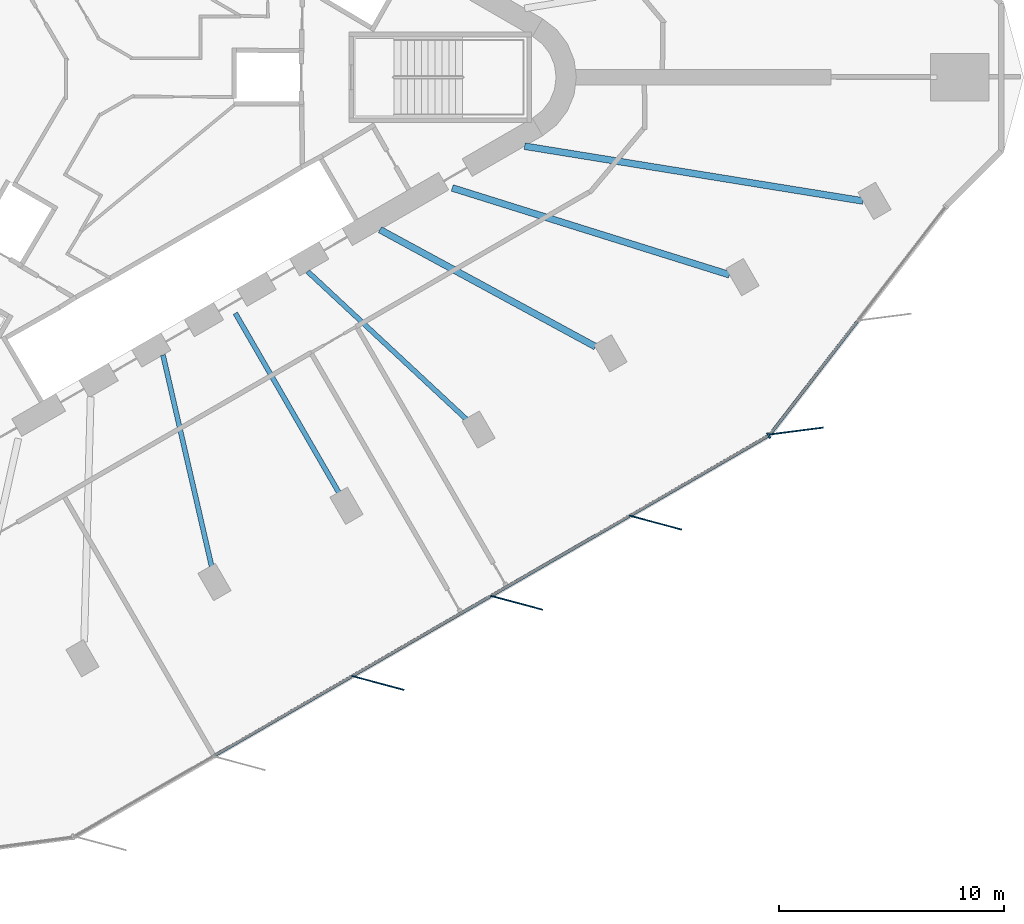
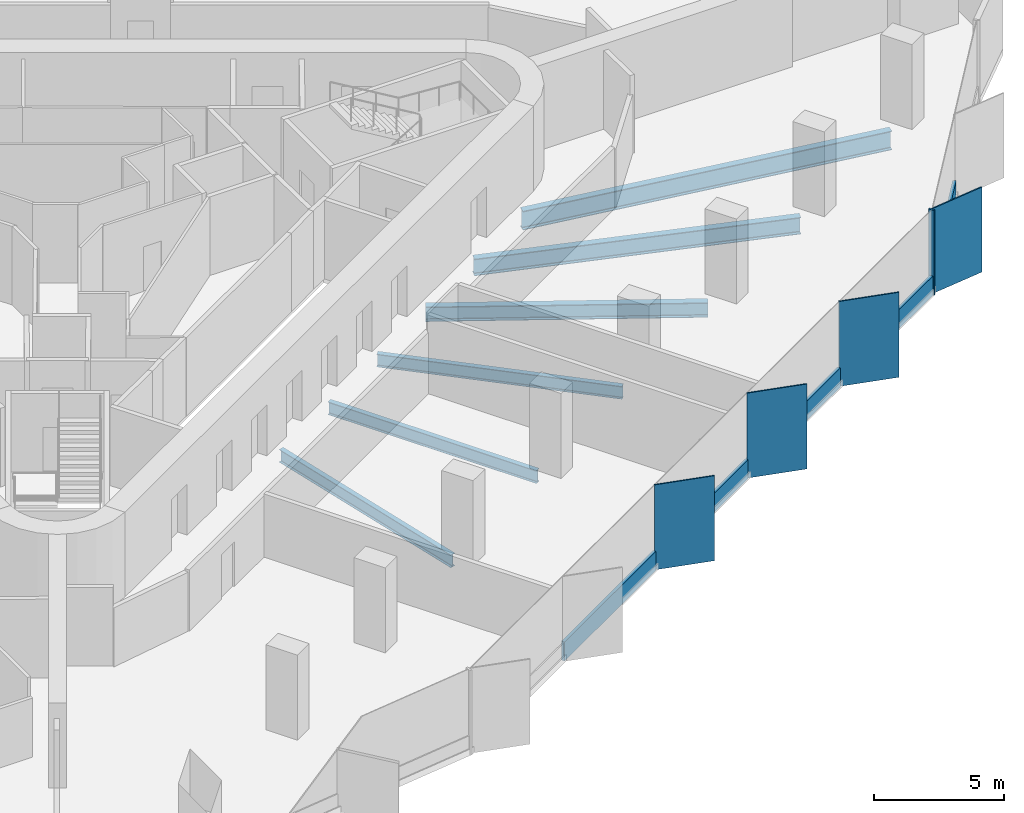
# One storey, part 3 of 14: 10 members, 6 beams, 2 elements without a shape of their own.
"""IFC4 building model written with IfcOpenShell, lengths in metres."""

from ifc_helpers import new_model, si_unit, direction, frame, origin, origin_2d, place, context, subcontext, project, spatial, rectangle, i_section, extrude, material, material_profile, profile_set, type_object, element, aggregate, save


model = new_model("IFC4")

# Units and contexts
model_context = context("Model", 3, precision=1e-05, world=origin(), true_north=direction((0.0, 1.0)))
body_context = subcontext(model_context, "Body", "Model", "MODEL_VIEW")
ifc_project = project(units=[si_unit("LENGTHUNIT", "METRE"), si_unit("AREAUNIT", "SQUARE_METRE"), si_unit("VOLUMEUNIT", "CUBIC_METRE"), si_unit("PLANEANGLEUNIT", "RADIAN"), si_unit("MASSUNIT", "GRAM", prefix="KILO")], contexts=[model_context])

# Site, building, storey
site_placement = place(None, origin())
site = spatial("IfcSite", under=ifc_project, at=site_placement, CompositionType="ELEMENT")
building_placement = place(site_placement, origin())
building = spatial("IfcBuilding", under=site, at=building_placement, Name="Tanit Gate Tower", CompositionType="ELEMENT")
storey_placement = place(building_placement, frame((0.0, 0.0, 229.199951171875)))
storey = spatial("IfcBuildingStorey", under=building, at=storey_placement, Name="L51", CompositionType="ELEMENT", Elevation=229.199951171875)

# Curtain wall, members
ifc_material_1 = material(Name="Aluminium bronze anodised and glass", Category="aluminium")
curtain_wall_type = type_object("IfcCurtainWallType", Name="Curtain wall typical mid", PredefinedType="NOTDEFINED", material=ifc_material_1)
curtain_wall_1_placement = place(storey_placement, origin())
curtain_wall_1 = element("IfcCurtainWall", 1, at=curtain_wall_1_placement, inside=storey, type_object=curtain_wall_type, Name="Curtain wall L51 SE2", PredefinedType="NOTDEFINED")
ifc_material_2 = material(Name="Aluminium bronze anodised", Category="aluminium")
ifc_material_profile_1 = material_profile(ifc_material_2, rectangle(XDim=2.39990234375, YDim=0.055908203125, at=origin_2d()), Name="56x2400 bronze fin mullion")
ifc_profile_set_1 = profile_set([ifc_material_profile_1], Name="Aluminium bronze anodised")
member_type_1 = type_object("IfcMemberType", Name="FIN MULLION 56x2400 bronze", PredefinedType="MULLION", material=ifc_profile_set_1)
member_1_placement = place(storey_placement, frame((12.383056640625, -26.9013671875, -0.300048828125), z_axis=(0.0, 0.0, 1.0), x_axis=(-0.965943770162, 0.25875206837, 0.0)))
member_1 = element("IfcMember", 2, at=member_1_placement, type_object=member_type_1, Name="Fin mullion L51 SE2.3", PredefinedType="MULLION", context=body_context, shape_type="SweptSolid", body=[
    extrude(rectangle(XDim=2.39990234375, YDim=0.055908203125, at=origin_2d()), origin(), (0.0, 0.0, 1.0), 4.0),
])
member_2_placement = place(storey_placement, frame((18.54931640625, -23.3408203125, -0.300048828125), z_axis=(0.0, 0.0, 1.0), x_axis=(-0.965943770162, 0.25875206837, 0.0)))
member_2 = element("IfcMember", 3, at=member_2_placement, type_object=member_type_1, Name="Fin mullion L51 SE2.4", PredefinedType="MULLION", context=body_context, shape_type="SweptSolid", body=[
    extrude(rectangle(XDim=2.39990234375, YDim=0.055908203125, at=origin_2d()), origin(), (0.0, 0.0, 1.0), 4.0),
])
member_3_placement = place(storey_placement, frame((24.715576171875, -19.780029296875, -0.300048828125), z_axis=(0.0, 0.0, 1.0), x_axis=(-0.965943770162, 0.25875206837, 0.0)))
member_3 = element("IfcMember", 4, at=member_3_placement, type_object=member_type_1, Name="Fin mullion L51 SE2.5", PredefinedType="MULLION", context=body_context, shape_type="SweptSolid", body=[
    extrude(rectangle(XDim=2.39990234375, YDim=0.055908203125, at=origin_2d()), origin(), (0.0, 0.0, 1.0), 4.0),
])

# Curtain wall, member
curtain_wall_2_placement = place(storey_placement, origin())
curtain_wall_2 = element("IfcCurtainWall", 5, at=curtain_wall_2_placement, inside=storey, type_object=curtain_wall_type, Name="Curtain wall L51 SE3", PredefinedType="NOTDEFINED")
member_4_placement = place(storey_placement, frame((30.971435546875, -15.712158203125, -0.300048828125), z_axis=(0.0, 0.0, 1.0), x_axis=(-0.991802209768, -0.127782536751, 0.0)))
member_4 = element("IfcMember", 6, at=member_4_placement, type_object=member_type_1, Name="Fin mullion L51 SE3.1", PredefinedType="MULLION", context=body_context, shape_type="SweptSolid", body=[
    extrude(rectangle(XDim=2.39990234375, YDim=0.055908203125, at=origin_2d()), origin(), (0.0, 0.0, 1.0), 4.0),
])

# Member
ifc_material_3 = material(Name="Aluminium bronze anodised", Category="aluminium")
ifc_material_profile_2 = material_profile(ifc_material_3, rectangle(XDim=0.260009765625, YDim=0.080078125, at=origin_2d()), Name="80x260 bronze mullion")
ifc_profile_set_2 = profile_set([ifc_material_profile_2], Name="Aluminium bronze anodised")
member_type_2 = type_object("IfcMemberType", Name="Mullion 80x260 typical mid", PredefinedType="MULLION", material=ifc_profile_set_2)
member_5_placement = place(storey_placement, frame((29.7431640625, -15.91455078125, -0.300048828125), z_axis=(0.0, 0.0, 1.0), x_axis=(-0.500060047936, 0.865990732317, 0.0)))
member_5 = element("IfcMember", 7, at=member_5_placement, type_object=member_type_2, Name="Mullion L51 SE2.6", PredefinedType="MULLION", context=body_context, shape_type="SweptSolid", body=[
    extrude(rectangle(XDim=0.260009765625, YDim=0.080078125, at=origin_2d()), origin(), (0.0, 0.0, 1.0), 4.0),
])

# Beams
ifc_material_4 = material(Name="Steel S355", Category="steel")
ifc_material_profile_3 = material_profile(ifc_material_4, i_section(OverallWidth=0.300048828125, OverallDepth=0.68994140625, WebThickness=0.014404296875, FlangeThickness=0.027099609375, FilletRadius=0.027099609375, at=origin_2d()), Name="HEA 700")
ifc_profile_set_3 = profile_set([ifc_material_profile_3], Name="Steel S355")
beam_type_1 = type_object("IfcBeamType", Name="RADIAL GIRDER HEA 700 S355", PredefinedType="BEAM", material=ifc_profile_set_3)
beam_1_placement = place(storey_placement, frame((22.050048828125, -11.96630859375, -0.64501953125), z_axis=(-0.878919746534, 0.476969683683, 0.0), x_axis=(-0.476969683683, -0.878919746534, 0.0)))
element("IfcBeam", 8, at=beam_1_placement, inside=storey, type_object=beam_type_1, Name="RADIAL GIRDER", PredefinedType="BEAM", context=body_context, shape_type="SweptSolid", body=[
    extrude(i_section(OverallWidth=0.300048828125, OverallDepth=0.68994140625, WebThickness=0.014404296875, FlangeThickness=0.027099609375, FilletRadius=0.027099609375, at=origin_2d()), origin(), (0.0, 0.0, 1.0), 10.892333984375),
])
ifc_material_5 = material(Name="Steel S355", Category="steel")
ifc_material_profile_4 = material_profile(ifc_material_5, i_section(OverallWidth=0.300048828125, OverallDepth=0.7900390625, WebThickness=0.014892578125, FlangeThickness=0.028076171875, FilletRadius=0.030029296875, at=origin_2d()), Name="HEA 800")
ifc_profile_set_4 = profile_set([ifc_material_profile_4], Name="Steel S355")
beam_type_2 = type_object("IfcBeamType", Name="RADIAL GIRDER HEA 800 S355", PredefinedType="BEAM", material=ifc_profile_set_4)
beam_2_placement = place(storey_placement, frame((28.001220703125, -8.773681640625, -0.695068359375), z_axis=(-0.954253776397, 0.298997876635, 0.0), x_axis=(-0.298997876635, -0.954253776397, 0.0)))
element("IfcBeam", 9, at=beam_2_placement, inside=storey, type_object=beam_type_2, Name="RADIAL GIRDER", PredefinedType="BEAM", context=body_context, shape_type="SweptSolid", body=[
    extrude(i_section(OverallWidth=0.300048828125, OverallDepth=0.7900390625, WebThickness=0.014892578125, FlangeThickness=0.028076171875, FilletRadius=0.030029296875, at=origin_2d()), origin(), (0.0, 0.0, 1.0), 12.902099609375),
])
ifc_material_6 = material(Name="Steel S355", Category="steel")
ifc_material_profile_5 = material_profile(ifc_material_6, i_section(OverallWidth=0.300048828125, OverallDepth=0.889892578125, WebThickness=0.01611328125, FlangeThickness=0.030029296875, FilletRadius=0.030029296875, at=origin_2d()), Name="HEA 900")
ifc_profile_set_5 = profile_set([ifc_material_profile_5], Name="Steel S355")
beam_type_3 = type_object("IfcBeamType", Name="RADIAL GIRDER HEA 900 S355", PredefinedType="BEAM", material=ifc_profile_set_5)
beam_3_placement = place(storey_placement, frame((33.92626953125, -5.494140625, -0.744873046875), z_axis=(-0.987139158822, 0.159863320119, 0.0), x_axis=(-0.159863320119, -0.987139158822, 0.0)))
element("IfcBeam", 10, at=beam_3_placement, inside=storey, type_object=beam_type_3, Name="RADIAL GIRDER", PredefinedType="BEAM", context=body_context, shape_type="SweptSolid", body=[
    extrude(i_section(OverallWidth=0.300048828125, OverallDepth=0.889892578125, WebThickness=0.01611328125, FlangeThickness=0.030029296875, FilletRadius=0.030029296875, at=origin_2d()), origin(), (0.0, 0.0, 1.0), 15.219970703125),
])
ifc_material_7 = material(Name="Steel S355", Category="steel")
ifc_material_profile_6 = material_profile(ifc_material_7, i_section(OverallWidth=0.219970703125, OverallDepth=0.60009765625, WebThickness=0.011962890625, FlangeThickness=0.01904296875, FilletRadius=0.02392578125, at=origin_2d()), Name="IPE 600")
ifc_profile_set_6 = profile_set([ifc_material_profile_6], Name="Steel S355")
beam_type_4 = type_object("IfcBeamType", Name="RADIAL GIRDER IPE 600 S355", PredefinedType="BEAM", material=ifc_profile_set_6)
beam_4_placement = place(storey_placement, frame((5.01611328125, -21.80078125, -0.599853515625), z_axis=(-0.224240798092, 0.974533767743, 0.0), x_axis=(-0.974533767743, -0.224240798092, 0.0)))
element("IfcBeam", 11, at=beam_4_placement, inside=storey, type_object=beam_type_4, Name="RADIAL GIRDER", PredefinedType="BEAM", context=body_context, shape_type="SweptSolid", body=[
    extrude(i_section(OverallWidth=0.219970703125, OverallDepth=0.60009765625, WebThickness=0.011962890625, FlangeThickness=0.01904296875, FilletRadius=0.02392578125, at=origin_2d()), origin(), (0.0, 0.0, 1.0), 9.712646484375),
])
beam_5_placement = place(storey_placement, frame((10.694091796875, -18.522705078125, -0.599853515625), z_axis=(-0.500001619514, 0.866024468756, 0.0), x_axis=(-0.866024468756, -0.500001619514, 0.0)))
element("IfcBeam", 12, at=beam_5_placement, inside=storey, type_object=beam_type_4, Name="RADIAL GIRDER", PredefinedType="BEAM", context=body_context, shape_type="SweptSolid", body=[
    extrude(i_section(OverallWidth=0.219970703125, OverallDepth=0.60009765625, WebThickness=0.011962890625, FlangeThickness=0.01904296875, FilletRadius=0.02392578125, at=origin_2d()), origin(), (0.0, 0.0, 1.0), 9.2861328125),
])
beam_6_placement = place(storey_placement, frame((16.3720703125, -15.244384765625, -0.599853515625), z_axis=(-0.731857228845, 0.681457993267, 0.0), x_axis=(-0.681457993267, -0.731857228845, 0.0)))
element("IfcBeam", 13, at=beam_6_placement, inside=storey, type_object=beam_type_4, Name="RADIAL GIRDER", PredefinedType="BEAM", context=body_context, shape_type="SweptSolid", body=[
    extrude(i_section(OverallWidth=0.219970703125, OverallDepth=0.60009765625, WebThickness=0.011962890625, FlangeThickness=0.01904296875, FilletRadius=0.02392578125, at=origin_2d()), origin(), (0.0, 0.0, 1.0), 9.71240234375),
])

# Member
ifc_material_8 = material(Name="Aluminium bronze anodised", Category="aluminium")
ifc_material_profile_7 = material_profile(ifc_material_8, rectangle(XDim=0.139892578125, YDim=0.89990234375, at=origin_2d()), Name="140x900 bronze transom")
ifc_profile_set_7 = profile_set([ifc_material_profile_7], Name="Aluminium bronze anodised")
member_type_3 = type_object("IfcMemberType", Name="Transom 140x900 typical mid", PredefinedType="USERDEFINED", material=ifc_profile_set_7)
member_6_placement = place(storey_placement, frame((5.11279296875, -30.136962890625, 0.150146484375), z_axis=(0.865997897729, 0.50004763886, 0.0), x_axis=(-0.50004763886, 0.865997897729, 0.0)))
member_6 = element("IfcMember", 14, at=member_6_placement, type_object=member_type_3, Name="Transom L51 SE2.2", ObjectType="TRANSOM", PredefinedType="USERDEFINED", context=body_context, shape_type="SweptSolid", body=[
    extrude(rectangle(XDim=0.139892578125, YDim=0.89990234375, at=origin_2d()), origin(), (0.0, 0.0, 1.0), 7.040283203125),
])

member_7_placement = place(storey_placement, frame((11.279052734375, -26.576416015625, 0.150146484375), z_axis=(0.865982880904, 0.500073644557, 0.0), x_axis=(-0.500073644557, 0.865982880904, 0.0)))
member_7 = element("IfcMember", 15, at=member_7_placement, type_object=member_type_3, Name="Transom L51 SE2.3", ObjectType="TRANSOM", PredefinedType="USERDEFINED", context=body_context, shape_type="SweptSolid", body=[
    extrude(rectangle(XDim=0.139892578125, YDim=0.89990234375, at=origin_2d()), origin(), (0.0, 0.0, 1.0), 7.04052734375),
])

member_8_placement = place(storey_placement, frame((17.4453125, -23.015625, 0.150146484375), z_axis=(0.865997897729, 0.50004763886, 0.0), x_axis=(-0.50004763886, 0.865997897729, 0.0)))
member_8 = element("IfcMember", 16, at=member_8_placement, type_object=member_type_3, Name="Transom L51 SE2.4", ObjectType="TRANSOM", PredefinedType="USERDEFINED", context=body_context, shape_type="SweptSolid", body=[
    extrude(rectangle(XDim=0.139892578125, YDim=0.89990234375, at=origin_2d()), origin(), (0.0, 0.0, 1.0), 7.040283203125),
])

member_9_placement = place(storey_placement, frame((23.611572265625, -19.455078125, 0.150146484375), z_axis=(0.865982880904, 0.500073644557, 0.0), x_axis=(-0.500073644557, 0.865982880904, 0.0)))
member_9 = element("IfcMember", 17, at=member_9_placement, type_object=member_type_3, Name="Transom L51 SE2.5", ObjectType="TRANSOM", PredefinedType="USERDEFINED", context=body_context, shape_type="SweptSolid", body=[
    extrude(rectangle(XDim=0.139892578125, YDim=0.89990234375, at=origin_2d()), origin(), (0.0, 0.0, 1.0), 7.04052734375),
])

aggregate(curtain_wall_1, [member_1, member_2, member_3, member_5, member_6, member_7, member_8, member_9])

member_10_placement = place(storey_placement, frame((29.82666015625, -15.8310546875, 0.150146484375), z_axis=(0.610949668913, 0.79166943989, 0.0), x_axis=(-0.79166943989, 0.610949668913, 0.0)))
member_10 = element("IfcMember", 18, at=member_10_placement, type_object=member_type_3, Name="Transom L51 SE3.1", ObjectType="TRANSOM", PredefinedType="USERDEFINED", context=body_context, shape_type="SweptSolid", body=[
    extrude(rectangle(XDim=0.139892578125, YDim=0.89990234375, at=origin_2d()), origin(), (0.0, 0.0, 1.0), 6.310302734375),
])

aggregate(curtain_wall_2, [member_4, member_10])

save(model, "model.ifc")
